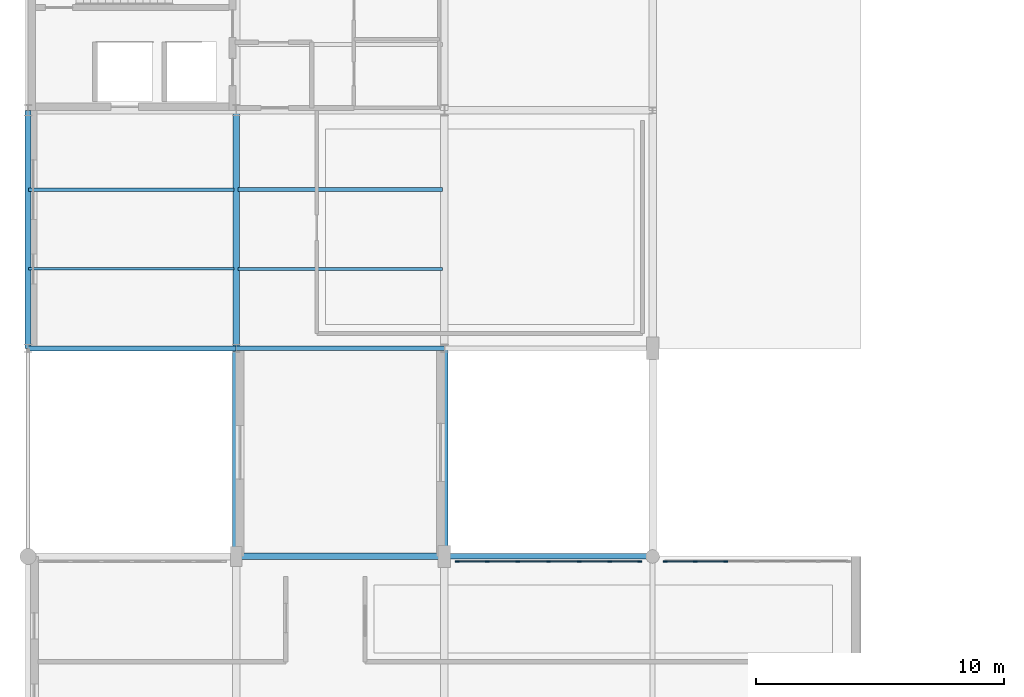
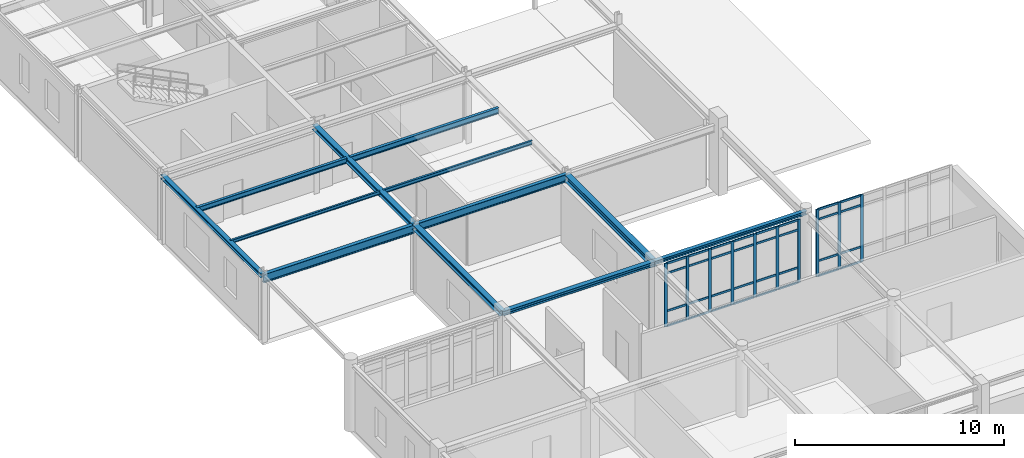
# One storey, part 23 of 90: 42 members, 12 beams, 2 elements without a shape of their own.
"""IFC4 building model written with IfcOpenShell, lengths in metres."""

from ifc_helpers import new_model, si_unit, derived_unit, direction, frame, origin, origin_2d, place, context, subcontext, project, spatial, rectangle, i_section, extrude, material, layer, layer_set, material_profile, profile_set, type_object, element, aggregate, save


model = new_model("IFC4")

# Units and contexts
model_context = context("Model", 3, precision=1e-05, world=origin(), true_north=direction((0.0, 1.0)))
body_context = subcontext(model_context, "Body", "Model", "MODEL_VIEW")
ifc_project = project(units=[si_unit("LENGTHUNIT", "METRE"), si_unit("AREAUNIT", "SQUARE_METRE"), si_unit("VOLUMEUNIT", "CUBIC_METRE"), si_unit("PLANEANGLEUNIT", "RADIAN"), si_unit("MASSUNIT", "GRAM", prefix="KILO"), derived_unit("THERMALTRANSMITTANCEUNIT", [(si_unit("POWERUNIT", "WATT"), 1), (si_unit("AREAUNIT", "SQUARE_METRE"), -1), (si_unit("THERMODYNAMICTEMPERATUREUNIT", "KELVIN"), -1)])], contexts=[model_context])

# Site, building, storey
site_placement = place(None, origin())
site = spatial("IfcSite", under=ifc_project, at=site_placement, CompositionType="ELEMENT")
building_placement = place(site_placement, origin())
building = spatial("IfcBuilding", under=site, at=building_placement, Name="Yasenodar Specialist Clinic", CompositionType="ELEMENT")
storey_placement = place(building_placement, frame((0.0, 0.0, 9.0)))
storey = spatial("IfcBuildingStorey", under=building, at=storey_placement, Name="L02", CompositionType="ELEMENT", Elevation=9.0)

# Beams
ifc_material_1 = material(Name="Steel S355", Category="steel")
ifc_material_profile_1 = material_profile(ifc_material_1, i_section(OverallWidth=0.219970703125, OverallDepth=0.2099609375, WebThickness=0.007080078125, FlangeThickness=0.010986328125, FilletRadius=0.01806640625, at=origin_2d()), Name="HEA 220")
ifc_profile_set_1 = profile_set([ifc_material_profile_1], Name="Steel S355")
beam_type_1 = type_object("IfcBeamType", Name="BM-HEA220", PredefinedType="BEAM", material=ifc_profile_set_1)
beam_1_placement = place(storey_placement, frame((16.800048828125, 16.800048828125, 3.8349609375), z_axis=(1.0, 0.0, 0.0), x_axis=(0.0, 1.0, 0.0)))
element("IfcBeam", 1, at=beam_1_placement, inside=storey, type_object=beam_type_1, Name="L02 Primary E-W Girder", PredefinedType="BEAM", context=body_context, shape_type="SweptSolid", body=[
    extrude(i_section(OverallWidth=0.219970703125, OverallDepth=0.2099609375, WebThickness=0.007080078125, FlangeThickness=0.010986328125, FilletRadius=0.01806640625, at=origin_2d()), origin(), (0.0, 0.0, 1.0), 8.39990234375),
])
ifc_material_profile_2 = material_profile(ifc_material_1, i_section(OverallWidth=0.260009765625, OverallDepth=0.25, WebThickness=0.007568359375, FlangeThickness=0.012451171875, FilletRadius=0.02392578125, at=origin_2d()), Name="HEA 260")
ifc_profile_set_2 = profile_set([ifc_material_profile_2], Name="Steel S355")
beam_type_2 = type_object("IfcBeamType", Name="BM-HEA260", PredefinedType="BEAM", material=ifc_profile_set_2)
beam_2_placement = place(storey_placement, frame((8.39990234375, 16.800048828125, 3.81494140625), z_axis=(1.0, 0.0, 0.0), x_axis=(0.0, 1.0, 0.0)))
element("IfcBeam", 2, at=beam_2_placement, inside=storey, type_object=beam_type_2, Name="L02 Primary E-W Girder", PredefinedType="BEAM", context=body_context, shape_type="SweptSolid", body=[
    extrude(i_section(OverallWidth=0.260009765625, OverallDepth=0.25, WebThickness=0.007568359375, FlangeThickness=0.012451171875, FilletRadius=0.02392578125, at=origin_2d()), origin(), (0.0, 0.0, 1.0), 8.400146484375),
])
ifc_material_profile_3 = material_profile(ifc_material_1, i_section(OverallWidth=0.280029296875, OverallDepth=0.280029296875, WebThickness=0.010498046875, FlangeThickness=0.01806640625, FilletRadius=0.02392578125, at=origin_2d()), Name="HEB 280")
ifc_profile_set_3 = profile_set([ifc_material_profile_3], Name="Steel S355")
beam_type_3 = type_object("IfcBeamType", Name="BM-HEB280", PredefinedType="BEAM", material=ifc_profile_set_3)
beam_3_placement = place(storey_placement, frame((8.39990234375, 25.199951171875, 3.800048828125), z_axis=(0.0, 1.0, 0.0), x_axis=(-1.0, 0.0, 0.0)))
element("IfcBeam", 3, at=beam_3_placement, inside=storey, type_object=beam_type_3, Name="L02 Primary N-S Girder", PredefinedType="BEAM", context=body_context, shape_type="SweptSolid", body=[
    extrude(i_section(OverallWidth=0.280029296875, OverallDepth=0.280029296875, WebThickness=0.010498046875, FlangeThickness=0.01806640625, FilletRadius=0.02392578125, at=origin_2d()), origin(), (0.0, 0.0, 1.0), 9.60009765625),
])
ifc_material_profile_4 = material_profile(ifc_material_1, i_section(OverallWidth=0.300048828125, OverallDepth=0.300048828125, WebThickness=0.010986328125, FlangeThickness=0.01904296875, FilletRadius=0.027099609375, at=origin_2d()), Name="HEB 300")
ifc_profile_set_4 = profile_set([ifc_material_profile_4], Name="Steel S355")
beam_type_4 = type_object("IfcBeamType", Name="BM-HEB300", PredefinedType="BEAM", material=ifc_profile_set_4)
beam_4_placement = place(storey_placement, frame((8.39990234375, 16.800048828125, 3.7900390625), z_axis=(0.0, 1.0, 0.0), x_axis=(-1.0, 0.0, 0.0)))
element("IfcBeam", 4, at=beam_4_placement, inside=storey, type_object=beam_type_4, Name="L02 Primary N-S Girder", PredefinedType="BEAM", context=body_context, shape_type="SweptSolid", body=[
    extrude(i_section(OverallWidth=0.300048828125, OverallDepth=0.300048828125, WebThickness=0.010986328125, FlangeThickness=0.01904296875, FilletRadius=0.027099609375, at=origin_2d()), origin(), (0.0, 0.0, 1.0), 8.39990234375),
])
ifc_material_profile_5 = material_profile(ifc_material_1, i_section(OverallWidth=0.300048828125, OverallDepth=0.39990234375, WebThickness=0.013427734375, FlangeThickness=0.02392578125, FilletRadius=0.027099609375, at=origin_2d()), Name="HEB 400")
ifc_profile_set_5 = profile_set([ifc_material_profile_5], Name="Steel S355")
beam_type_5 = type_object("IfcBeamType", Name="BM-HEB400", PredefinedType="BEAM", material=ifc_profile_set_5)
beam_5_placement = place(storey_placement, frame((16.800048828125, 16.800048828125, 3.739990234375), z_axis=(0.0, 1.0, 0.0), x_axis=(-1.0, 0.0, 0.0)))
element("IfcBeam", 5, at=beam_5_placement, inside=storey, type_object=beam_type_5, Name="L02 Primary N-S Girder", PredefinedType="BEAM", context=body_context, shape_type="SweptSolid", body=[
    extrude(i_section(OverallWidth=0.300048828125, OverallDepth=0.39990234375, WebThickness=0.013427734375, FlangeThickness=0.02392578125, FilletRadius=0.027099609375, at=origin_2d()), origin(), (0.0, 0.0, 1.0), 8.39990234375),
])
ifc_material_profile_6 = material_profile(ifc_material_1, i_section(OverallWidth=0.18994140625, OverallDepth=0.449951171875, WebThickness=0.009521484375, FlangeThickness=0.0146484375, FilletRadius=0.02099609375, at=origin_2d()), Name="IPE 450")
ifc_profile_set_6 = profile_set([ifc_material_profile_6], Name="Steel S355")
beam_type_6 = type_object("IfcBeamType", Name="BM-IPE450", PredefinedType="BEAM", material=ifc_profile_set_6)
beam_6_placement = place(storey_placement, frame((8.39990234375, 25.199951171875, 3.715087890625), z_axis=(1.0, 0.0, 0.0), x_axis=(0.0, 1.0, 0.0)))
element("IfcBeam", 6, at=beam_6_placement, inside=storey, type_object=beam_type_6, Name="L02 Primary E-W Girder", PredefinedType="BEAM", context=body_context, shape_type="SweptSolid", body=[
    extrude(i_section(OverallWidth=0.18994140625, OverallDepth=0.449951171875, WebThickness=0.009521484375, FlangeThickness=0.0146484375, FilletRadius=0.02099609375, at=origin_2d()), origin(), (0.0, 0.0, 1.0), 8.400146484375),
])
ifc_material_profile_7 = material_profile(ifc_material_1, i_section(OverallWidth=0.199951171875, OverallDepth=0.5, WebThickness=0.01025390625, FlangeThickness=0.01611328125, FilletRadius=0.02099609375, at=origin_2d()), Name="IPE 500")
ifc_profile_set_7 = profile_set([ifc_material_profile_7], Name="Steel S355")
beam_type_7 = type_object("IfcBeamType", Name="BM-IPE500", PredefinedType="BEAM", material=ifc_profile_set_7)
beam_7_placement = place(storey_placement, frame((0.0, 25.199951171875, 3.68994140625), z_axis=(1.0, 0.0, 0.0), x_axis=(0.0, 1.0, 0.0)))
element("IfcBeam", 7, at=beam_7_placement, inside=storey, type_object=beam_type_7, Name="L02 Primary E-W Girder", PredefinedType="BEAM", context=body_context, shape_type="SweptSolid", body=[
    extrude(i_section(OverallWidth=0.199951171875, OverallDepth=0.5, WebThickness=0.01025390625, FlangeThickness=0.01611328125, FilletRadius=0.02099609375, at=origin_2d()), origin(), (0.0, 0.0, 1.0), 8.39990234375),
])

# Curtain wall, members
ifc_material_2 = material(Name="Bronze Anodized Aluminium and Triple Low-E Glass", Category="aluminium")
ifc_layer = layer(ifc_material_2, 0.202880859375)
ifc_layer_set = layer_set([ifc_layer], Name="Bronze Anodized Aluminium and Triple Low-E Glass")
curtain_wall_type = type_object("IfcCurtainWallType", Name="CW-SYS-04", PredefinedType="USERDEFINED", material=ifc_layer_set)
curtain_wall_1_placement = place(storey_placement, origin())
curtain_wall_1 = element("IfcCurtainWall", 8, at=curtain_wall_1_placement, inside=storey, type_object=curtain_wall_type, Name="L02 Unitised Curtain Wall 076", ObjectType="UNITISED CURTAIN WALL", PredefinedType="USERDEFINED")
ifc_material_3 = material(Name="Bronze Anodized Aluminium", Category="aluminium")
ifc_material_profile_8 = material_profile(ifc_material_3, rectangle(XDim=0.06005859375, YDim=0.159912109375, at=origin_2d()), Name="CW-MULL 60x160")
ifc_profile_set_8 = profile_set([ifc_material_profile_8], Name="Bronze Anodized Aluminium")
member_type_1 = type_object("IfcMemberType", Name="CW-MULL-160", PredefinedType="MULLION", material=ifc_profile_set_8)
member_1_placement = place(storey_placement, frame((17.31005859375, 16.60009765625, 0.0), z_axis=(0.0, 0.0, 1.0), x_axis=(0.0, 1.0, 0.0)))
member_1 = element("IfcMember", 9, at=member_1_placement, type_object=member_type_1, Name="CW-04 mullion 1", PredefinedType="MULLION", context=body_context, shape_type="SweptSolid", body=[
    extrude(rectangle(XDim=0.06005859375, YDim=0.159912109375, at=origin_2d()), origin(), (0.0, 0.0, 1.0), 3.7080078125),
])
member_2_placement = place(storey_placement, frame((18.52001953125, 16.60009765625, 0.0), z_axis=(0.0, 0.0, 1.0), x_axis=(0.0, 1.0, 0.0)))
member_2 = element("IfcMember", 10, at=member_2_placement, type_object=member_type_1, Name="CW-04 mullion 2", PredefinedType="MULLION", context=body_context, shape_type="SweptSolid", body=[
    extrude(rectangle(XDim=0.06005859375, YDim=0.159912109375, at=origin_2d()), origin(), (0.0, 0.0, 1.0), 3.7080078125),
])
member_3_placement = place(storey_placement, frame((19.760009765625, 16.60009765625, 0.0), z_axis=(0.0, 0.0, 1.0), x_axis=(0.0, 1.0, 0.0)))
member_3 = element("IfcMember", 11, at=member_3_placement, type_object=member_type_1, Name="CW-04 mullion 3", PredefinedType="MULLION", context=body_context, shape_type="SweptSolid", body=[
    extrude(rectangle(XDim=0.06005859375, YDim=0.159912109375, at=origin_2d()), origin(), (0.0, 0.0, 1.0), 3.7080078125),
])
member_4_placement = place(storey_placement, frame((21.0, 16.60009765625, 0.0), z_axis=(0.0, 0.0, 1.0), x_axis=(0.0, 1.0, 0.0)))
member_4 = element("IfcMember", 12, at=member_4_placement, type_object=member_type_1, Name="CW-04 mullion 4", PredefinedType="MULLION", context=body_context, shape_type="SweptSolid", body=[
    extrude(rectangle(XDim=0.06005859375, YDim=0.159912109375, at=origin_2d()), origin(), (0.0, 0.0, 1.0), 3.7080078125),
])
member_5_placement = place(storey_placement, frame((22.239990234375, 16.60009765625, 0.0), z_axis=(0.0, 0.0, 1.0), x_axis=(0.0, 1.0, 0.0)))
member_5 = element("IfcMember", 13, at=member_5_placement, type_object=member_type_1, Name="CW-04 mullion 5", PredefinedType="MULLION", context=body_context, shape_type="SweptSolid", body=[
    extrude(rectangle(XDim=0.06005859375, YDim=0.159912109375, at=origin_2d()), origin(), (0.0, 0.0, 1.0), 3.7080078125),
])
member_6_placement = place(storey_placement, frame((23.47998046875, 16.60009765625, 0.0), z_axis=(0.0, 0.0, 1.0), x_axis=(0.0, 1.0, 0.0)))
member_6 = element("IfcMember", 14, at=member_6_placement, type_object=member_type_1, Name="CW-04 mullion 6", PredefinedType="MULLION", context=body_context, shape_type="SweptSolid", body=[
    extrude(rectangle(XDim=0.06005859375, YDim=0.159912109375, at=origin_2d()), origin(), (0.0, 0.0, 1.0), 3.7080078125),
])
member_7_placement = place(storey_placement, frame((24.68994140625, 16.60009765625, 0.0), z_axis=(0.0, 0.0, 1.0), x_axis=(0.0, 1.0, 0.0)))
member_7 = element("IfcMember", 15, at=member_7_placement, type_object=member_type_1, Name="CW-04 mullion 7", PredefinedType="MULLION", context=body_context, shape_type="SweptSolid", body=[
    extrude(rectangle(XDim=0.06005859375, YDim=0.159912109375, at=origin_2d()), origin(), (0.0, 0.0, 1.0), 3.7080078125),
])

curtain_wall_2_placement = place(storey_placement, origin())
curtain_wall_2 = element("IfcCurtainWall", 16, at=curtain_wall_2_placement, inside=storey, type_object=curtain_wall_type, Name="L02 Unitised Curtain Wall 077", ObjectType="UNITISED CURTAIN WALL", PredefinedType="USERDEFINED")
member_8_placement = place(storey_placement, frame((25.7099609375, 16.60009765625, 0.0), z_axis=(0.0, 0.0, 1.0), x_axis=(0.0, 1.0, 0.0)))
member_8 = element("IfcMember", 17, at=member_8_placement, type_object=member_type_1, Name="CW-04 mullion 1", PredefinedType="MULLION", context=body_context, shape_type="SweptSolid", body=[
    extrude(rectangle(XDim=0.06005859375, YDim=0.159912109375, at=origin_2d()), origin(), (0.0, 0.0, 1.0), 3.929931640625),
])
member_9_placement = place(storey_placement, frame((26.919921875, 16.60009765625, 0.0), z_axis=(0.0, 0.0, 1.0), x_axis=(0.0, 1.0, 0.0)))
member_9 = element("IfcMember", 18, at=member_9_placement, type_object=member_type_1, Name="CW-04 mullion 2", PredefinedType="MULLION", context=body_context, shape_type="SweptSolid", body=[
    extrude(rectangle(XDim=0.06005859375, YDim=0.159912109375, at=origin_2d()), origin(), (0.0, 0.0, 1.0), 3.929931640625),
])
member_10_placement = place(storey_placement, frame((28.159912109375, 16.60009765625, 0.0), z_axis=(0.0, 0.0, 1.0), x_axis=(0.0, 1.0, 0.0)))
member_10 = element("IfcMember", 19, at=member_10_placement, type_object=member_type_1, Name="CW-04 mullion 3", PredefinedType="MULLION", context=body_context, shape_type="SweptSolid", body=[
    extrude(rectangle(XDim=0.06005859375, YDim=0.159912109375, at=origin_2d()), origin(), (0.0, 0.0, 1.0), 3.929931640625),
])

# Member
ifc_material_profile_9 = material_profile(ifc_material_3, rectangle(XDim=0.06005859375, YDim=0.1201171875, at=origin_2d()), Name="CW-TRAN 60x120")
ifc_profile_set_9 = profile_set([ifc_material_profile_9], Name="Bronze Anodized Aluminium")
member_type_2 = type_object("IfcMemberType", Name="CW-TRAN-120", PredefinedType="USERDEFINED", material=ifc_profile_set_9)
member_11_placement = place(storey_placement, frame((17.340087890625, 16.60009765625, 0.030029296875), z_axis=(1.0, 0.0, 0.0), x_axis=(0.0, 1.0, 0.0)))
member_11 = element("IfcMember", 20, at=member_11_placement, type_object=member_type_2, Name="CW-04 transom 1.1", ObjectType="TRANSOM", PredefinedType="USERDEFINED", context=body_context, shape_type="SweptSolid", body=[
    extrude(rectangle(XDim=0.06005859375, YDim=0.1201171875, at=origin_2d()), origin(), (0.0, 0.0, 1.0), 1.14990234375),
])

member_12_placement = place(storey_placement, frame((17.340087890625, 16.60009765625, 0.89990234375), z_axis=(1.0, 0.0, 0.0), x_axis=(0.0, 1.0, 0.0)))
member_12 = element("IfcMember", 21, at=member_12_placement, type_object=member_type_2, Name="CW-04 transom 1.2", ObjectType="TRANSOM", PredefinedType="USERDEFINED", context=body_context, shape_type="SweptSolid", body=[
    extrude(rectangle(XDim=0.06005859375, YDim=0.1201171875, at=origin_2d()), origin(), (0.0, 0.0, 1.0), 1.14990234375),
])

member_13_placement = place(storey_placement, frame((17.340087890625, 16.60009765625, 3.10791015625), z_axis=(1.0, 0.0, 0.0), x_axis=(0.0, 1.0, 0.0)))
member_13 = element("IfcMember", 22, at=member_13_placement, type_object=member_type_2, Name="CW-04 transom 1.3", ObjectType="TRANSOM", PredefinedType="USERDEFINED", context=body_context, shape_type="SweptSolid", body=[
    extrude(rectangle(XDim=0.06005859375, YDim=0.1201171875, at=origin_2d()), origin(), (0.0, 0.0, 1.0), 1.14990234375),
])

member_14_placement = place(storey_placement, frame((17.340087890625, 16.60009765625, 3.677978515625), z_axis=(1.0, 0.0, 0.0), x_axis=(0.0, 1.0, 0.0)))
member_14 = element("IfcMember", 23, at=member_14_placement, type_object=member_type_2, Name="CW-04 transom 1.4", ObjectType="TRANSOM", PredefinedType="USERDEFINED", context=body_context, shape_type="SweptSolid", body=[
    extrude(rectangle(XDim=0.06005859375, YDim=0.1201171875, at=origin_2d()), origin(), (0.0, 0.0, 1.0), 1.14990234375),
])

member_15_placement = place(storey_placement, frame((18.550048828125, 16.60009765625, 0.030029296875), z_axis=(1.0, 0.0, 0.0), x_axis=(0.0, 1.0, 0.0)))
member_15 = element("IfcMember", 24, at=member_15_placement, type_object=member_type_2, Name="CW-04 transom 2.1", ObjectType="TRANSOM", PredefinedType="USERDEFINED", context=body_context, shape_type="SweptSolid", body=[
    extrude(rectangle(XDim=0.06005859375, YDim=0.1201171875, at=origin_2d()), origin(), (0.0, 0.0, 1.0), 1.179931640625),
])

member_16_placement = place(storey_placement, frame((18.550048828125, 16.60009765625, 0.89990234375), z_axis=(1.0, 0.0, 0.0), x_axis=(0.0, 1.0, 0.0)))
member_16 = element("IfcMember", 25, at=member_16_placement, type_object=member_type_2, Name="CW-04 transom 2.2", ObjectType="TRANSOM", PredefinedType="USERDEFINED", context=body_context, shape_type="SweptSolid", body=[
    extrude(rectangle(XDim=0.06005859375, YDim=0.1201171875, at=origin_2d()), origin(), (0.0, 0.0, 1.0), 1.179931640625),
])

member_17_placement = place(storey_placement, frame((18.550048828125, 16.60009765625, 3.10791015625), z_axis=(1.0, 0.0, 0.0), x_axis=(0.0, 1.0, 0.0)))
member_17 = element("IfcMember", 26, at=member_17_placement, type_object=member_type_2, Name="CW-04 transom 2.3", ObjectType="TRANSOM", PredefinedType="USERDEFINED", context=body_context, shape_type="SweptSolid", body=[
    extrude(rectangle(XDim=0.06005859375, YDim=0.1201171875, at=origin_2d()), origin(), (0.0, 0.0, 1.0), 1.179931640625),
])

member_18_placement = place(storey_placement, frame((18.550048828125, 16.60009765625, 3.677978515625), z_axis=(1.0, 0.0, 0.0), x_axis=(0.0, 1.0, 0.0)))
member_18 = element("IfcMember", 27, at=member_18_placement, type_object=member_type_2, Name="CW-04 transom 2.4", ObjectType="TRANSOM", PredefinedType="USERDEFINED", context=body_context, shape_type="SweptSolid", body=[
    extrude(rectangle(XDim=0.06005859375, YDim=0.1201171875, at=origin_2d()), origin(), (0.0, 0.0, 1.0), 1.179931640625),
])

member_19_placement = place(storey_placement, frame((19.7900390625, 16.60009765625, 0.030029296875), z_axis=(1.0, 0.0, 0.0), x_axis=(0.0, 1.0, 0.0)))
member_19 = element("IfcMember", 28, at=member_19_placement, type_object=member_type_2, Name="CW-04 transom 3.1", ObjectType="TRANSOM", PredefinedType="USERDEFINED", context=body_context, shape_type="SweptSolid", body=[
    extrude(rectangle(XDim=0.06005859375, YDim=0.1201171875, at=origin_2d()), origin(), (0.0, 0.0, 1.0), 1.179931640625),
])

member_20_placement = place(storey_placement, frame((19.7900390625, 16.60009765625, 0.89990234375), z_axis=(1.0, 0.0, 0.0), x_axis=(0.0, 1.0, 0.0)))
member_20 = element("IfcMember", 29, at=member_20_placement, type_object=member_type_2, Name="CW-04 transom 3.2", ObjectType="TRANSOM", PredefinedType="USERDEFINED", context=body_context, shape_type="SweptSolid", body=[
    extrude(rectangle(XDim=0.06005859375, YDim=0.1201171875, at=origin_2d()), origin(), (0.0, 0.0, 1.0), 1.179931640625),
])

member_21_placement = place(storey_placement, frame((19.7900390625, 16.60009765625, 3.10791015625), z_axis=(1.0, 0.0, 0.0), x_axis=(0.0, 1.0, 0.0)))
member_21 = element("IfcMember", 30, at=member_21_placement, type_object=member_type_2, Name="CW-04 transom 3.3", ObjectType="TRANSOM", PredefinedType="USERDEFINED", context=body_context, shape_type="SweptSolid", body=[
    extrude(rectangle(XDim=0.06005859375, YDim=0.1201171875, at=origin_2d()), origin(), (0.0, 0.0, 1.0), 1.179931640625),
])

member_22_placement = place(storey_placement, frame((19.7900390625, 16.60009765625, 3.677978515625), z_axis=(1.0, 0.0, 0.0), x_axis=(0.0, 1.0, 0.0)))
member_22 = element("IfcMember", 31, at=member_22_placement, type_object=member_type_2, Name="CW-04 transom 3.4", ObjectType="TRANSOM", PredefinedType="USERDEFINED", context=body_context, shape_type="SweptSolid", body=[
    extrude(rectangle(XDim=0.06005859375, YDim=0.1201171875, at=origin_2d()), origin(), (0.0, 0.0, 1.0), 1.179931640625),
])

member_23_placement = place(storey_placement, frame((21.030029296875, 16.60009765625, 0.030029296875), z_axis=(1.0, 0.0, 0.0), x_axis=(0.0, 1.0, 0.0)))
member_23 = element("IfcMember", 32, at=member_23_placement, type_object=member_type_2, Name="CW-04 transom 4.1", ObjectType="TRANSOM", PredefinedType="USERDEFINED", context=body_context, shape_type="SweptSolid", body=[
    extrude(rectangle(XDim=0.06005859375, YDim=0.1201171875, at=origin_2d()), origin(), (0.0, 0.0, 1.0), 1.179931640625),
])

member_24_placement = place(storey_placement, frame((21.030029296875, 16.60009765625, 0.89990234375), z_axis=(1.0, 0.0, 0.0), x_axis=(0.0, 1.0, 0.0)))
member_24 = element("IfcMember", 33, at=member_24_placement, type_object=member_type_2, Name="CW-04 transom 4.2", ObjectType="TRANSOM", PredefinedType="USERDEFINED", context=body_context, shape_type="SweptSolid", body=[
    extrude(rectangle(XDim=0.06005859375, YDim=0.1201171875, at=origin_2d()), origin(), (0.0, 0.0, 1.0), 1.179931640625),
])

member_25_placement = place(storey_placement, frame((21.030029296875, 16.60009765625, 3.10791015625), z_axis=(1.0, 0.0, 0.0), x_axis=(0.0, 1.0, 0.0)))
member_25 = element("IfcMember", 34, at=member_25_placement, type_object=member_type_2, Name="CW-04 transom 4.3", ObjectType="TRANSOM", PredefinedType="USERDEFINED", context=body_context, shape_type="SweptSolid", body=[
    extrude(rectangle(XDim=0.06005859375, YDim=0.1201171875, at=origin_2d()), origin(), (0.0, 0.0, 1.0), 1.179931640625),
])

member_26_placement = place(storey_placement, frame((21.030029296875, 16.60009765625, 3.677978515625), z_axis=(1.0, 0.0, 0.0), x_axis=(0.0, 1.0, 0.0)))
member_26 = element("IfcMember", 35, at=member_26_placement, type_object=member_type_2, Name="CW-04 transom 4.4", ObjectType="TRANSOM", PredefinedType="USERDEFINED", context=body_context, shape_type="SweptSolid", body=[
    extrude(rectangle(XDim=0.06005859375, YDim=0.1201171875, at=origin_2d()), origin(), (0.0, 0.0, 1.0), 1.179931640625),
])

member_27_placement = place(storey_placement, frame((22.27001953125, 16.60009765625, 0.030029296875), z_axis=(1.0, 0.0, 0.0), x_axis=(0.0, 1.0, 0.0)))
member_27 = element("IfcMember", 36, at=member_27_placement, type_object=member_type_2, Name="CW-04 transom 5.1", ObjectType="TRANSOM", PredefinedType="USERDEFINED", context=body_context, shape_type="SweptSolid", body=[
    extrude(rectangle(XDim=0.06005859375, YDim=0.1201171875, at=origin_2d()), origin(), (0.0, 0.0, 1.0), 1.179931640625),
])

member_28_placement = place(storey_placement, frame((22.27001953125, 16.60009765625, 0.89990234375), z_axis=(1.0, 0.0, 0.0), x_axis=(0.0, 1.0, 0.0)))
member_28 = element("IfcMember", 37, at=member_28_placement, type_object=member_type_2, Name="CW-04 transom 5.2", ObjectType="TRANSOM", PredefinedType="USERDEFINED", context=body_context, shape_type="SweptSolid", body=[
    extrude(rectangle(XDim=0.06005859375, YDim=0.1201171875, at=origin_2d()), origin(), (0.0, 0.0, 1.0), 1.179931640625),
])

member_29_placement = place(storey_placement, frame((22.27001953125, 16.60009765625, 3.10791015625), z_axis=(1.0, 0.0, 0.0), x_axis=(0.0, 1.0, 0.0)))
member_29 = element("IfcMember", 38, at=member_29_placement, type_object=member_type_2, Name="CW-04 transom 5.3", ObjectType="TRANSOM", PredefinedType="USERDEFINED", context=body_context, shape_type="SweptSolid", body=[
    extrude(rectangle(XDim=0.06005859375, YDim=0.1201171875, at=origin_2d()), origin(), (0.0, 0.0, 1.0), 1.179931640625),
])

member_30_placement = place(storey_placement, frame((22.27001953125, 16.60009765625, 3.677978515625), z_axis=(1.0, 0.0, 0.0), x_axis=(0.0, 1.0, 0.0)))
member_30 = element("IfcMember", 39, at=member_30_placement, type_object=member_type_2, Name="CW-04 transom 5.4", ObjectType="TRANSOM", PredefinedType="USERDEFINED", context=body_context, shape_type="SweptSolid", body=[
    extrude(rectangle(XDim=0.06005859375, YDim=0.1201171875, at=origin_2d()), origin(), (0.0, 0.0, 1.0), 1.179931640625),
])

member_31_placement = place(storey_placement, frame((23.510009765625, 16.60009765625, 0.030029296875), z_axis=(1.0, 0.0, 0.0), x_axis=(0.0, 1.0, 0.0)))
member_31 = element("IfcMember", 40, at=member_31_placement, type_object=member_type_2, Name="CW-04 transom 6.1", ObjectType="TRANSOM", PredefinedType="USERDEFINED", context=body_context, shape_type="SweptSolid", body=[
    extrude(rectangle(XDim=0.06005859375, YDim=0.1201171875, at=origin_2d()), origin(), (0.0, 0.0, 1.0), 1.14990234375),
])

member_32_placement = place(storey_placement, frame((23.510009765625, 16.60009765625, 0.89990234375), z_axis=(1.0, 0.0, 0.0), x_axis=(0.0, 1.0, 0.0)))
member_32 = element("IfcMember", 41, at=member_32_placement, type_object=member_type_2, Name="CW-04 transom 6.2", ObjectType="TRANSOM", PredefinedType="USERDEFINED", context=body_context, shape_type="SweptSolid", body=[
    extrude(rectangle(XDim=0.06005859375, YDim=0.1201171875, at=origin_2d()), origin(), (0.0, 0.0, 1.0), 1.14990234375),
])

member_33_placement = place(storey_placement, frame((23.510009765625, 16.60009765625, 3.10791015625), z_axis=(1.0, 0.0, 0.0), x_axis=(0.0, 1.0, 0.0)))
member_33 = element("IfcMember", 42, at=member_33_placement, type_object=member_type_2, Name="CW-04 transom 6.3", ObjectType="TRANSOM", PredefinedType="USERDEFINED", context=body_context, shape_type="SweptSolid", body=[
    extrude(rectangle(XDim=0.06005859375, YDim=0.1201171875, at=origin_2d()), origin(), (0.0, 0.0, 1.0), 1.14990234375),
])

member_34_placement = place(storey_placement, frame((23.510009765625, 16.60009765625, 3.677978515625), z_axis=(1.0, 0.0, 0.0), x_axis=(0.0, 1.0, 0.0)))
member_34 = element("IfcMember", 43, at=member_34_placement, type_object=member_type_2, Name="CW-04 transom 6.4", ObjectType="TRANSOM", PredefinedType="USERDEFINED", context=body_context, shape_type="SweptSolid", body=[
    extrude(rectangle(XDim=0.06005859375, YDim=0.1201171875, at=origin_2d()), origin(), (0.0, 0.0, 1.0), 1.14990234375),
])

aggregate(curtain_wall_1, [member_1, member_2, member_3, member_4, member_5, member_6, member_7, member_11, member_12, member_13, member_14, member_15, member_16, member_17, member_18, member_19, member_20, member_21, member_22, member_23, member_24, member_25, member_26, member_27, member_28, member_29, member_30, member_31, member_32, member_33, member_34])

member_35_placement = place(storey_placement, frame((25.739990234375, 16.60009765625, 0.030029296875), z_axis=(1.0, 0.0, 0.0), x_axis=(0.0, 1.0, 0.0)))
member_35 = element("IfcMember", 44, at=member_35_placement, type_object=member_type_2, Name="CW-04 transom 1.1", ObjectType="TRANSOM", PredefinedType="USERDEFINED", context=body_context, shape_type="SweptSolid", body=[
    extrude(rectangle(XDim=0.06005859375, YDim=0.1201171875, at=origin_2d()), origin(), (0.0, 0.0, 1.0), 1.14990234375),
])

member_36_placement = place(storey_placement, frame((25.739990234375, 16.60009765625, 0.89990234375), z_axis=(1.0, 0.0, 0.0), x_axis=(0.0, 1.0, 0.0)))
member_36 = element("IfcMember", 45, at=member_36_placement, type_object=member_type_2, Name="CW-04 transom 1.2", ObjectType="TRANSOM", PredefinedType="USERDEFINED", context=body_context, shape_type="SweptSolid", body=[
    extrude(rectangle(XDim=0.06005859375, YDim=0.1201171875, at=origin_2d()), origin(), (0.0, 0.0, 1.0), 1.14990234375),
])

member_37_placement = place(storey_placement, frame((25.739990234375, 16.60009765625, 3.330078125), z_axis=(1.0, 0.0, 0.0), x_axis=(0.0, 1.0, 0.0)))
member_37 = element("IfcMember", 46, at=member_37_placement, type_object=member_type_2, Name="CW-04 transom 1.3", ObjectType="TRANSOM", PredefinedType="USERDEFINED", context=body_context, shape_type="SweptSolid", body=[
    extrude(rectangle(XDim=0.06005859375, YDim=0.1201171875, at=origin_2d()), origin(), (0.0, 0.0, 1.0), 1.14990234375),
])

member_38_placement = place(storey_placement, frame((25.739990234375, 16.60009765625, 3.89990234375), z_axis=(1.0, 0.0, 0.0), x_axis=(0.0, 1.0, 0.0)))
member_38 = element("IfcMember", 47, at=member_38_placement, type_object=member_type_2, Name="CW-04 transom 1.4", ObjectType="TRANSOM", PredefinedType="USERDEFINED", context=body_context, shape_type="SweptSolid", body=[
    extrude(rectangle(XDim=0.06005859375, YDim=0.1201171875, at=origin_2d()), origin(), (0.0, 0.0, 1.0), 1.14990234375),
])

member_39_placement = place(storey_placement, frame((26.949951171875, 16.60009765625, 0.030029296875), z_axis=(1.0, 0.0, 0.0), x_axis=(0.0, 1.0, 0.0)))
member_39 = element("IfcMember", 48, at=member_39_placement, type_object=member_type_2, Name="CW-04 transom 2.1", ObjectType="TRANSOM", PredefinedType="USERDEFINED", context=body_context, shape_type="SweptSolid", body=[
    extrude(rectangle(XDim=0.06005859375, YDim=0.1201171875, at=origin_2d()), origin(), (0.0, 0.0, 1.0), 1.179931640625),
])

member_40_placement = place(storey_placement, frame((26.949951171875, 16.60009765625, 0.89990234375), z_axis=(1.0, 0.0, 0.0), x_axis=(0.0, 1.0, 0.0)))
member_40 = element("IfcMember", 49, at=member_40_placement, type_object=member_type_2, Name="CW-04 transom 2.2", ObjectType="TRANSOM", PredefinedType="USERDEFINED", context=body_context, shape_type="SweptSolid", body=[
    extrude(rectangle(XDim=0.06005859375, YDim=0.1201171875, at=origin_2d()), origin(), (0.0, 0.0, 1.0), 1.179931640625),
])

member_41_placement = place(storey_placement, frame((26.949951171875, 16.60009765625, 3.330078125), z_axis=(1.0, 0.0, 0.0), x_axis=(0.0, 1.0, 0.0)))
member_41 = element("IfcMember", 50, at=member_41_placement, type_object=member_type_2, Name="CW-04 transom 2.3", ObjectType="TRANSOM", PredefinedType="USERDEFINED", context=body_context, shape_type="SweptSolid", body=[
    extrude(rectangle(XDim=0.06005859375, YDim=0.1201171875, at=origin_2d()), origin(), (0.0, 0.0, 1.0), 1.179931640625),
])

member_42_placement = place(storey_placement, frame((26.949951171875, 16.60009765625, 3.89990234375), z_axis=(1.0, 0.0, 0.0), x_axis=(0.0, 1.0, 0.0)))
member_42 = element("IfcMember", 51, at=member_42_placement, type_object=member_type_2, Name="CW-04 transom 2.4", ObjectType="TRANSOM", PredefinedType="USERDEFINED", context=body_context, shape_type="SweptSolid", body=[
    extrude(rectangle(XDim=0.06005859375, YDim=0.1201171875, at=origin_2d()), origin(), (0.0, 0.0, 1.0), 1.179931640625),
])

aggregate(curtain_wall_2, [member_8, member_9, member_10, member_35, member_36, member_37, member_38, member_39, member_40, member_41, member_42])

# Beams
ifc_material_profile_10 = material_profile(ifc_material_1, i_section(OverallWidth=0.10009765625, OverallDepth=0.199951171875, WebThickness=0.005615234375, FlangeThickness=0.008544921875, FilletRadius=0.011962890625, at=origin_2d()), Name="IPE 200")
ifc_profile_set_10 = profile_set([ifc_material_profile_10], Name="Steel S355")
beam_type_8 = type_object("IfcBeamType", Name="JS-IPE200", PredefinedType="JOIST", material=ifc_profile_set_10)
beam_8_placement = place(storey_placement, frame((0.014892578125, 28.39990234375, 3.85009765625), z_axis=(1.0, 0.0, 0.0), x_axis=(0.0, 1.0, 0.0)))
element("IfcBeam", 52, at=beam_8_placement, inside=storey, type_object=beam_type_8, Name="L02 Composite Floor Joist", PredefinedType="JOIST", context=body_context, shape_type="SweptSolid", body=[
    extrude(i_section(OverallWidth=0.10009765625, OverallDepth=0.199951171875, WebThickness=0.005615234375, FlangeThickness=0.008544921875, FilletRadius=0.011962890625, at=origin_2d()), origin(), (0.0, 0.0, 1.0), 8.30517578125),
])
ifc_material_profile_11 = material_profile(ifc_material_1, i_section(OverallWidth=0.110107421875, OverallDepth=0.219970703125, WebThickness=0.005859375, FlangeThickness=0.00927734375, FilletRadius=0.011962890625, at=origin_2d()), Name="IPE 220")
ifc_profile_set_11 = profile_set([ifc_material_profile_11], Name="Steel S355")
beam_type_9 = type_object("IfcBeamType", Name="JS-IPE220", PredefinedType="JOIST", material=ifc_profile_set_11)
beam_9_placement = place(storey_placement, frame((8.47998046875, 28.39990234375, 3.840087890625), z_axis=(1.0, 0.0, 0.0), x_axis=(0.0, 1.0, 0.0)))
element("IfcBeam", 53, at=beam_9_placement, inside=storey, type_object=beam_type_9, Name="L02 Composite Floor Joist", PredefinedType="JOIST", context=body_context, shape_type="SweptSolid", body=[
    extrude(i_section(OverallWidth=0.110107421875, OverallDepth=0.219970703125, WebThickness=0.005859375, FlangeThickness=0.00927734375, FilletRadius=0.011962890625, at=origin_2d()), origin(), (0.0, 0.0, 1.0), 8.239990234375),
])
ifc_material_profile_12 = material_profile(ifc_material_1, i_section(OverallWidth=0.14990234375, OverallDepth=0.300048828125, WebThickness=0.007080078125, FlangeThickness=0.0107421875, FilletRadius=0.014892578125, at=origin_2d()), Name="IPE 300")
ifc_profile_set_12 = profile_set([ifc_material_profile_12], Name="Steel S355")
beam_type_10 = type_object("IfcBeamType", Name="JS-IPE300", PredefinedType="JOIST", material=ifc_profile_set_12)
beam_10_placement = place(storey_placement, frame((0.014892578125, 31.60009765625, 3.800048828125), z_axis=(1.0, 0.0, 0.0), x_axis=(0.0, 1.0, 0.0)))
element("IfcBeam", 54, at=beam_10_placement, inside=storey, type_object=beam_type_10, Name="L02 Composite Floor Joist", PredefinedType="JOIST", context=body_context, shape_type="SweptSolid", body=[
    extrude(i_section(OverallWidth=0.14990234375, OverallDepth=0.300048828125, WebThickness=0.007080078125, FlangeThickness=0.0107421875, FilletRadius=0.014892578125, at=origin_2d()), origin(), (0.0, 0.0, 1.0), 8.30517578125),
])
ifc_material_profile_13 = material_profile(ifc_material_1, i_section(OverallWidth=0.159912109375, OverallDepth=0.330078125, WebThickness=0.007568359375, FlangeThickness=0.011474609375, FilletRadius=0.01806640625, at=origin_2d()), Name="IPE 330")
ifc_profile_set_13 = profile_set([ifc_material_profile_13], Name="Steel S355")
beam_type_11 = type_object("IfcBeamType", Name="JS-IPE330", PredefinedType="JOIST", material=ifc_profile_set_13)
beam_11_placement = place(storey_placement, frame((8.47998046875, 31.60009765625, 3.784912109375), z_axis=(1.0, 0.0, 0.0), x_axis=(0.0, 1.0, 0.0)))
element("IfcBeam", 55, at=beam_11_placement, inside=storey, type_object=beam_type_11, Name="L02 Composite Floor Joist", PredefinedType="JOIST", context=body_context, shape_type="SweptSolid", body=[
    extrude(i_section(OverallWidth=0.159912109375, OverallDepth=0.330078125, WebThickness=0.007568359375, FlangeThickness=0.011474609375, FilletRadius=0.01806640625, at=origin_2d()), origin(), (0.0, 0.0, 1.0), 8.239990234375),
])
ifc_material_profile_14 = material_profile(ifc_material_1, i_section(OverallWidth=0.239990234375, OverallDepth=0.22998046875, WebThickness=0.007568359375, FlangeThickness=0.011962890625, FilletRadius=0.02099609375, at=origin_2d()), Name="HEA 240")
ifc_profile_set_14 = profile_set([ifc_material_profile_14], Name="Steel S355")
beam_type_12 = type_object("IfcBeamType", Name="SP-HEA240", PredefinedType="SPANDREL", material=ifc_profile_set_14)
beam_12_placement = place(storey_placement, frame((0.0, 25.199951171875, 3.8349609375), z_axis=(0.0, 1.0, 0.0), x_axis=(-1.0, 0.0, 0.0)))
element("IfcBeam", 56, at=beam_12_placement, inside=storey, type_object=beam_type_12, Name="L02 Perimeter Spandrel Beam", PredefinedType="SPANDREL", context=body_context, shape_type="SweptSolid", body=[
    extrude(i_section(OverallWidth=0.239990234375, OverallDepth=0.22998046875, WebThickness=0.007568359375, FlangeThickness=0.011962890625, FilletRadius=0.02099609375, at=origin_2d()), origin(), (0.0, 0.0, 1.0), 9.60009765625),
])

save(model, "model.ifc")
